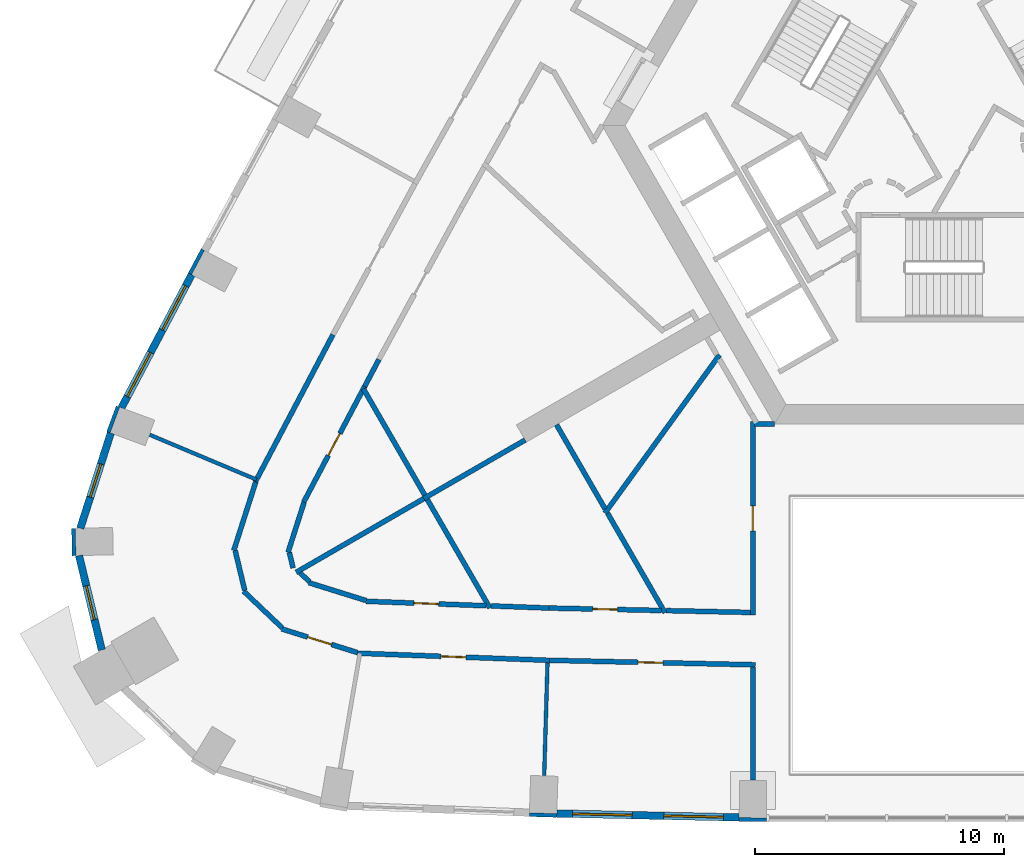
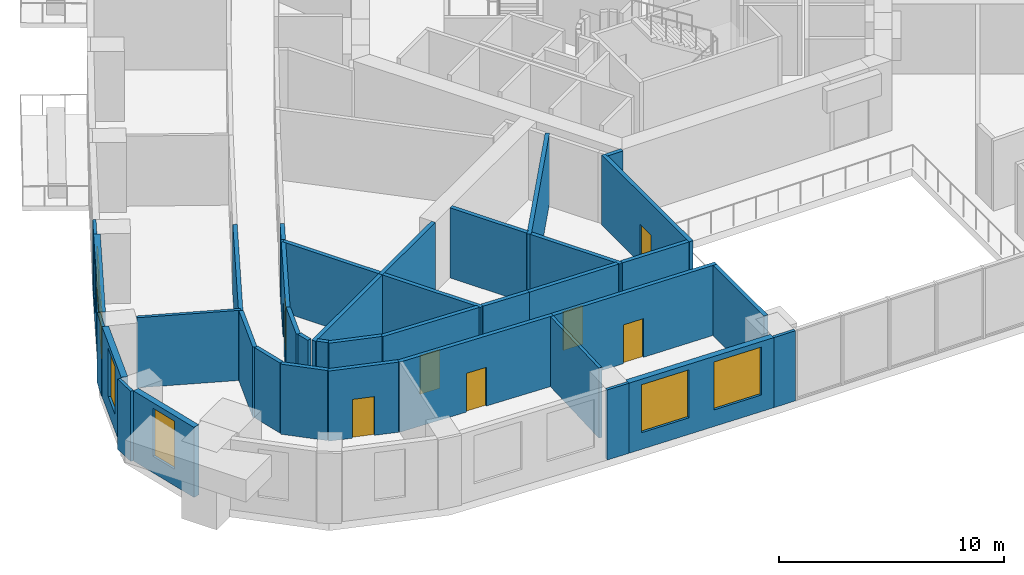
# One storey, part 4 of 15: 38 walls, 7 doors, 6 windows, 13 openings.
"""IFC4 building model written with IfcOpenShell, lengths in metres."""

from ifc_helpers import new_model, si_unit, direction, frame, frame_2d, origin, place, context, subcontext, project, spatial, rectangle, extrude, material, layer, layer_set, type_object, element, fill, save


model = new_model("IFC4")

# Units and contexts
model_context = context("Model", 3, precision=1e-05, world=origin(), true_north=direction((0.0, 1.0)))
body_context = subcontext(model_context, "Body", "Model", "MODEL_VIEW")
ifc_project = project(units=[si_unit("LENGTHUNIT", "METRE"), si_unit("AREAUNIT", "SQUARE_METRE"), si_unit("VOLUMEUNIT", "CUBIC_METRE"), si_unit("PLANEANGLEUNIT", "RADIAN"), si_unit("MASSUNIT", "GRAM", prefix="KILO")], contexts=[model_context])

# Site, building, storey
site_placement = place(None, origin())
site = spatial("IfcSite", under=ifc_project, at=site_placement, CompositionType="ELEMENT")
building_placement = place(site_placement, origin())
building = spatial("IfcBuilding", under=site, at=building_placement, Name="Entoto Arch Interchange Tower", CompositionType="ELEMENT")
storey_placement = place(building_placement, frame((0.0, 0.0, 171.800048828125)))
storey = spatial("IfcBuildingStorey", under=building, at=storey_placement, Name="L38", CompositionType="ELEMENT", Elevation=171.800048828125)

# Walls
ifc_material_1 = material(Name="Gypsum board partition on steel studs", Category="steel")
ifc_layer_1 = layer(ifc_material_1, 0.14990234375)
ifc_layer_set_1 = layer_set([ifc_layer_1], Name="Gypsum board partition on steel studs")
wall_type_1 = type_object("IfcWallType", Name="PARTITION 150", PredefinedType="PARTITIONING", material=ifc_layer_set_1)
wall_1_placement = place(storey_placement, frame((-27.7509765625, -11.72998046875, 0.0), z_axis=(0.0, 0.0, 1.0), x_axis=(-0.92196786851, 0.387266380462, 0.0)))
element("IfcWall", 1, at=wall_1_placement, inside=storey, type_object=wall_type_1, Name="wall:L38:p144", PredefinedType="PARTITIONING", context=body_context, shape_type="SweptSolid", body=[
    extrude(rectangle(XDim=4.653076171875, YDim=0.14990234375, at=frame_2d((2.32666015625, 0.0))), origin(), (0.0, 0.0, 1.0), 3.800048828125),
])
wall_2_placement = place(storey_placement, frame((-16.052001953125, -19.092041015625, 0.0), z_axis=(0.0, 0.0, 1.0), x_axis=(-0.029372127975, -0.999568545973, 0.0)))
element("IfcWall", 2, at=wall_2_placement, inside=storey, type_object=wall_type_1, Name="wall:L38:p146", PredefinedType="PARTITIONING", context=body_context, shape_type="SweptSolid", body=[
    extrude(rectangle(XDim=4.530029296875, YDim=0.14990234375, at=frame_2d((2.26513671875, 0.0))), origin(), (0.0, 0.0, 1.0), 3.800048828125),
])
ifc_layer_2 = layer(ifc_material_1, 0.199951171875)
ifc_layer_set_2 = layer_set([ifc_layer_2], Name="Gypsum board partition on steel studs")
wall_type_2 = type_object("IfcWallType", Name="PARTITION 200", PredefinedType="PARTITIONING", material=ifc_layer_set_2)
wall_3_placement = place(storey_placement, frame((-11.278076171875, -16.99609375, 0.0), z_axis=(0.0, 0.0, 1.0), x_axis=(0.999766613119, -0.021603687022, 0.0)))
element("IfcWall", 3, at=wall_3_placement, inside=storey, type_object=wall_type_2, Name="wall:L38:p031", PredefinedType="PARTITIONING", context=body_context, shape_type="SweptSolid", body=[
    extrude(rectangle(XDim=3.37890625, YDim=0.199951171875, at=frame_2d((1.689453125, 0.0))), origin(), (0.0, 0.0, 1.0), 3.800048828125),
])
wall_4_placement = place(storey_placement, frame((-22.827880859375, -6.89697265625, 0.0), z_axis=(0.0, 0.0, 1.0), x_axis=(-0.467225806893, -0.884138023938, 0.0)))
element("IfcWall", 4, at=wall_4_placement, inside=storey, type_object=wall_type_2, Name="wall:L38:p034", PredefinedType="PARTITIONING", context=body_context, shape_type="SweptSolid", body=[
    extrude(rectangle(XDim=1.2373046875, YDim=0.199951171875, at=frame_2d((0.61865234375, 0.0))), origin(), (0.0, 0.0, 1.0), 3.800048828125),
])
wall_5_placement = place(storey_placement, frame((-18.31591796875, -16.806884765625, 0.0), z_axis=(0.0, 0.0, 1.0), x_axis=(0.999315981353, -0.036980662692, 0.0)))
element("IfcWall", 5, at=wall_5_placement, inside=storey, type_object=wall_type_2, Name="wall:L38:p035", PredefinedType="PARTITIONING", context=body_context, shape_type="SweptSolid", body=[
    extrude(rectangle(XDim=2.33056640625, YDim=0.199951171875, at=frame_2d((1.165283203125, 0.0))), origin(), (0.0, 0.0, 1.0), 3.800048828125),
])

# Wall, opening, door
wall_6_placement = place(storey_placement, frame((-15.987060546875, -16.89306640625, 0.0), z_axis=(0.0, 0.0, 1.0), x_axis=(0.999764376572, -0.021706942174, 0.0)))
wall_6 = element("IfcWall", 6, at=wall_6_placement, inside=storey, type_object=wall_type_2, Name="wall:L38:p036", PredefinedType="PARTITIONING", context=body_context, shape_type="SweptSolid", body=[
    extrude(rectangle(XDim=4.510009765625, YDim=0.199951171875, at=frame_2d((2.2548828125, 0.0))), origin(), (0.0, 0.0, 1.0), 3.800048828125),
])
opening_1_placement = place(wall_6_placement, frame((1.7548828125, 0.0, 0.0)))
opening_1 = element("IfcOpeningElement", 7, at=opening_1_placement, cuts=wall_6, Name="Opening L38-D20", PredefinedType="OPENING", context=body_context, shape_type="SweptSolid", body=[
    extrude(rectangle(XDim=1.0, YDim=2.10009765625, at=frame_2d((0.5, 1.050048828125))), frame((0.0, 0.10986328125, 0.0), z_axis=(0.0, -1.0, 0.0), x_axis=(1.0, 0.0, 0.0)), (0.0, 0.0, 1.0), 0.219970703125),
])
ifc_material_2 = material(Name="Timber door leaf in Steel S235 frame", Category="steel")
door_type = type_object("IfcDoorType", Name="DOOR DS-10 1000x2100", OperationType="SINGLE_SWING_LEFT", PredefinedType="DOOR", material=ifc_material_2)
door_1_placement = place(opening_1_placement, origin())
door_1 = element("IfcDoor", 8, at=door_1_placement, inside=storey, type_object=door_type, Name="door:L38:20", OperationType="SINGLE_SWING_LEFT", OverallHeight=2.10009765625, OverallWidth=1.0, PredefinedType="DOOR", context=body_context, shape_type="SweptSolid", body=[
    extrude(rectangle(XDim=1.0, YDim=2.10009765625, at=frame_2d((0.5, 1.050048828125))), frame((0.0, 0.02490234375, 0.0), z_axis=(0.0, -1.0, 0.0), x_axis=(1.0, 0.0, 0.0)), (0.0, 0.0, 1.0), 0.050048828125),
])
fill(opening_1, door_1)

wall_7_placement = place(storey_placement, frame((-23.406005859375, -7.990966796875, 0.0), z_axis=(0.0, 0.0, 1.0), x_axis=(-0.466307932558, -0.884622468646, 0.0)))
wall_7 = element("IfcWall", 9, at=wall_7_placement, inside=storey, type_object=wall_type_2, Name="wall:L38:p037", PredefinedType="PARTITIONING", context=body_context, shape_type="SweptSolid", body=[
    extrude(rectangle(XDim=5.249755859375, YDim=0.199951171875, at=frame_2d((2.625, 0.0))), origin(), (0.0, 0.0, 1.0), 3.800048828125),
])
opening_2_placement = place(wall_7_placement, frame((2.125, 0.0, 0.0)))
opening_2 = element("IfcOpeningElement", 10, at=opening_2_placement, cuts=wall_7, Name="Opening L38-D21", PredefinedType="OPENING", context=body_context, shape_type="SweptSolid", body=[
    extrude(rectangle(XDim=1.0, YDim=2.10009765625, at=frame_2d((0.5, 1.050048828125))), frame((0.0, 0.10986328125, 0.0), z_axis=(0.0, -1.0, 0.0), x_axis=(1.0, 0.0, 0.0)), (0.0, 0.0, 1.0), 0.219970703125),
])
door_2_placement = place(opening_2_placement, origin())
door_2 = element("IfcDoor", 11, at=door_2_placement, inside=storey, type_object=door_type, Name="door:L38:21", OperationType="SINGLE_SWING_LEFT", OverallHeight=2.10009765625, OverallWidth=1.0, PredefinedType="DOOR", context=body_context, shape_type="SweptSolid", body=[
    extrude(rectangle(XDim=1.0, YDim=2.10009765625, at=frame_2d((0.5, 1.050048828125))), frame((0.0, 0.02490234375, 0.0), z_axis=(0.0, -1.0, 0.0), x_axis=(1.0, 0.0, 0.0)), (0.0, 0.0, 1.0), 0.050048828125),
])
fill(opening_2, door_2)

# Walls
wall_8_placement = place(storey_placement, frame((-25.837890625, -12.64208984375, 0.0), z_axis=(0.0, 0.0, 1.0), x_axis=(-0.305169069368, -0.952298188122, 0.0)))
element("IfcWall", 12, at=wall_8_placement, inside=storey, type_object=wall_type_2, Name="wall:L38:p038", PredefinedType="PARTITIONING", context=body_context, shape_type="SweptSolid", body=[
    extrude(rectangle(XDim=2.116943359375, YDim=0.199951171875, at=frame_2d((1.05859375, 0.0))), origin(), (0.0, 0.0, 1.0), 3.800048828125),
])
wall_9_placement = place(storey_placement, frame((-26.429931640625, -14.659912109375, 0.0), z_axis=(0.0, 0.0, 1.0), x_axis=(0.233574377125, -0.972338938, 0.0)))
element("IfcWall", 13, at=wall_9_placement, inside=storey, type_object=wall_type_2, Name="wall:L38:p039", PredefinedType="PARTITIONING", context=body_context, shape_type="SweptSolid", body=[
    extrude(rectangle(XDim=0.641845703125, YDim=0.199951171875, at=frame_2d((0.32080078125, 0.0))), origin(), (0.0, 0.0, 1.0), 3.800048828125),
])
wall_10_placement = place(storey_placement, frame((-25.998046875, -15.47607421875, 0.0), z_axis=(0.0, 0.0, 1.0), x_axis=(0.724294499657, -0.689490737985, 0.0)))
element("IfcWall", 14, at=wall_10_placement, inside=storey, type_object=wall_type_2, Name="wall:L38:p040", PredefinedType="PARTITIONING", context=body_context, shape_type="SweptSolid", body=[
    extrude(rectangle(XDim=0.51904296875, YDim=0.199951171875, at=frame_2d((0.259521484375, 0.0))), origin(), (0.0, 0.0, 1.0), 3.800048828125),
])
wall_11_placement = place(storey_placement, frame((-25.64501953125, -15.873046875, 0.0), z_axis=(0.0, 0.0, 1.0), x_axis=(0.95454810771, -0.298056890655, 0.0)))
element("IfcWall", 15, at=wall_11_placement, inside=storey, type_object=wall_type_2, Name="wall:L38:p041", PredefinedType="PARTITIONING", context=body_context, shape_type="SweptSolid", body=[
    extrude(rectangle(XDim=2.422119140625, YDim=0.199951171875, at=frame_2d((1.2109375, 0.0))), origin(), (0.0, 0.0, 1.0), 3.800048828125),
])

# Wall, opening, door
wall_12_placement = place(storey_placement, frame((-23.3369140625, -16.62109375, 0.0), z_axis=(0.0, 0.0, 1.0), x_axis=(0.999311710526, -0.037095892019, 0.0)))
wall_12 = element("IfcWall", 16, at=wall_12_placement, inside=storey, type_object=wall_type_2, Name="wall:L38:p042", PredefinedType="PARTITIONING", context=body_context, shape_type="SweptSolid", body=[
    extrude(rectangle(XDim=4.82421875, YDim=0.199951171875, at=frame_2d((2.412109375, 0.0))), origin(), (0.0, 0.0, 1.0), 3.800048828125),
])
opening_3_placement = place(wall_12_placement, frame((1.9130859375, 0.0, 0.0)))
opening_3 = element("IfcOpeningElement", 17, at=opening_3_placement, cuts=wall_12, Name="Opening L38-D22", PredefinedType="OPENING", context=body_context, shape_type="SweptSolid", body=[
    extrude(rectangle(XDim=1.0, YDim=2.10009765625, at=frame_2d((0.5, 1.050048828125))), frame((0.0, 0.10986328125, 0.0), z_axis=(0.0, -1.0, 0.0), x_axis=(1.0, 0.0, 0.0)), (0.0, 0.0, 1.0), 0.219970703125),
])
door_3_placement = place(opening_3_placement, origin())
door_3 = element("IfcDoor", 18, at=door_3_placement, inside=storey, type_object=door_type, Name="door:L38:22", OperationType="SINGLE_SWING_LEFT", OverallHeight=2.10009765625, OverallWidth=1.0, PredefinedType="DOOR", context=body_context, shape_type="SweptSolid", body=[
    extrude(rectangle(XDim=1.0, YDim=2.10009765625, at=frame_2d((0.5, 1.050048828125))), frame((0.0, 0.02490234375, 0.0), z_axis=(0.0, -1.0, 0.0), x_axis=(1.0, 0.0, 0.0)), (0.0, 0.0, 1.0), 0.050048828125),
])
fill(opening_3, door_3)

# Wall
wall_13_placement = place(storey_placement, frame((-27.798095703125, -11.819091796875, 0.0), z_axis=(0.0, 0.0, 1.0), x_axis=(0.466450727507, 0.884547182918, 0.0)))
element("IfcWall", 19, at=wall_13_placement, inside=storey, type_object=wall_type_2, Name="wall:L38:p070", PredefinedType="PARTITIONING", context=body_context, shape_type="SweptSolid", body=[
    extrude(rectangle(XDim=6.684814453125, YDim=0.199951171875, at=frame_2d((3.34228515625, 0.0))), origin(), (0.0, 0.0, 1.0), 3.800048828125),
])

# Wall, opening, door
wall_14_placement = place(storey_placement, frame((-23.69091796875, -18.68310546875, 0.0), z_axis=(0.0, 0.0, 1.0), x_axis=(-0.954546657381, 0.298061535398, 0.0)))
wall_14 = element("IfcWall", 20, at=wall_14_placement, inside=storey, type_object=wall_type_2, Name="wall:L38:p072", PredefinedType="PARTITIONING", context=body_context, shape_type="SweptSolid", body=[
    extrude(rectangle(XDim=3.191162109375, YDim=0.199951171875, at=frame_2d((1.595703125, 0.0))), origin(), (0.0, 0.0, 1.0), 3.800048828125),
])
opening_4_placement = place(wall_14_placement, frame((1.095947265625, 0.0, 0.0)))
opening_4 = element("IfcOpeningElement", 21, at=opening_4_placement, cuts=wall_14, Name="Opening L38-D12", PredefinedType="OPENING", context=body_context, shape_type="SweptSolid", body=[
    extrude(rectangle(XDim=1.0, YDim=2.10009765625, at=frame_2d((0.5, 1.050048828125))), frame((0.0, 0.10986328125, 0.0), z_axis=(0.0, -1.0, 0.0), x_axis=(1.0, 0.0, 0.0)), (0.0, 0.0, 1.0), 0.219970703125),
])
door_4_placement = place(opening_4_placement, origin())
door_4 = element("IfcDoor", 22, at=door_4_placement, inside=storey, type_object=door_type, Name="door:L38:12", OperationType="SINGLE_SWING_LEFT", OverallHeight=2.10009765625, OverallWidth=1.0, PredefinedType="DOOR", context=body_context, shape_type="SweptSolid", body=[
    extrude(rectangle(XDim=1.0, YDim=2.10009765625, at=frame_2d((0.5, 1.050048828125))), frame((0.0, 0.02490234375, 0.0), z_axis=(0.0, -1.0, 0.0), x_axis=(1.0, 0.0, 0.0)), (0.0, 0.0, 1.0), 0.050048828125),
])
fill(opening_4, door_4)

# Walls
wall_15_placement = place(storey_placement, frame((-26.714111328125, -17.693115234375, 0.0), z_axis=(0.0, 0.0, 1.0), x_axis=(-0.724712974479, 0.689050872303, 0.0)))
element("IfcWall", 23, at=wall_15_placement, inside=storey, type_object=wall_type_2, Name="wall:L38:p073", PredefinedType="PARTITIONING", context=body_context, shape_type="SweptSolid", body=[
    extrude(rectangle(XDim=2.149658203125, YDim=0.199951171875, at=frame_2d((1.07470703125, 0.0))), origin(), (0.0, 0.0, 1.0), 3.800048828125),
])
wall_16_placement = place(storey_placement, frame((-28.222900390625, -16.18408203125, 0.0), z_axis=(0.0, 0.0, 1.0), x_axis=(-0.233826017197, 0.972278454807, 0.0)))
element("IfcWall", 24, at=wall_16_placement, inside=storey, type_object=wall_type_2, Name="wall:L38:p074", PredefinedType="PARTITIONING", context=body_context, shape_type="SweptSolid", body=[
    extrude(rectangle(XDim=1.650634765625, YDim=0.199951171875, at=frame_2d((0.8251953125, 0.0))), origin(), (0.0, 0.0, 1.0), 3.800048828125),
])
wall_17_placement = place(storey_placement, frame((-28.6630859375, -14.576904296875, 0.0), z_axis=(0.0, 0.0, 1.0), x_axis=(0.304925942137, 0.952376065329, 0.0)))
element("IfcWall", 25, at=wall_17_placement, inside=storey, type_object=wall_type_2, Name="wall:L38:p075", PredefinedType="PARTITIONING", context=body_context, shape_type="SweptSolid", body=[
    extrude(rectangle(XDim=2.8896484375, YDim=0.199951171875, at=frame_2d((1.44482421875, 0.0))), origin(), (0.0, 0.0, 1.0), 3.800048828125),
])

# Wall, opening, door
wall_18_placement = place(storey_placement, frame((-15.97412109375, -18.9951171875, 0.0), z_axis=(0.0, 0.0, 1.0), x_axis=(-0.999314011084, 0.037033866276, 0.0)))
wall_18 = element("IfcWall", 26, at=wall_18_placement, inside=storey, type_object=wall_type_2, Name="wall:L38:p076", PredefinedType="PARTITIONING", context=body_context, shape_type="SweptSolid", body=[
    extrude(rectangle(XDim=7.726318359375, YDim=0.199951171875, at=frame_2d((3.86328125, 0.0))), origin(), (0.0, 0.0, 1.0), 3.800048828125),
])
opening_5_placement = place(wall_18_placement, frame((3.363037109375, 0.0, 0.0)))
opening_5 = element("IfcOpeningElement", 27, at=opening_5_placement, cuts=wall_18, Name="Opening L38-D13", PredefinedType="OPENING", context=body_context, shape_type="SweptSolid", body=[
    extrude(rectangle(XDim=1.0, YDim=2.10009765625, at=frame_2d((0.5, 1.050048828125))), frame((0.0, 0.10986328125, 0.0), z_axis=(0.0, -1.0, 0.0), x_axis=(1.0, 0.0, 0.0)), (0.0, 0.0, 1.0), 0.219970703125),
])
door_5_placement = place(opening_5_placement, origin())
door_5 = element("IfcDoor", 28, at=door_5_placement, inside=storey, type_object=door_type, Name="door:L38:13", OperationType="SINGLE_SWING_LEFT", OverallHeight=2.10009765625, OverallWidth=1.0, PredefinedType="DOOR", context=body_context, shape_type="SweptSolid", body=[
    extrude(rectangle(XDim=1.0, YDim=2.10009765625, at=frame_2d((0.5, 1.050048828125))), frame((0.0, 0.02490234375, 0.0), z_axis=(0.0, -1.0, 0.0), x_axis=(1.0, 0.0, 0.0)), (0.0, 0.0, 1.0), 0.050048828125),
])
fill(opening_5, door_5)

wall_19_placement = place(storey_placement, frame((-7.699951171875, -19.174072265625, 0.0), z_axis=(0.0, 0.0, 1.0), x_axis=(-0.999762993889, 0.02177053169, 0.0)))
wall_19 = element("IfcWall", 29, at=wall_19_placement, inside=storey, type_object=wall_type_2, Name="wall:L38:p077", PredefinedType="PARTITIONING", context=body_context, shape_type="SweptSolid", body=[
    extrude(rectangle(XDim=8.276123046875, YDim=0.199951171875, at=frame_2d((4.13818359375, 0.0))), origin(), (0.0, 0.0, 1.0), 3.800048828125),
])
opening_6_placement = place(wall_19_placement, frame((3.712890625, 0.0, 0.0)))
opening_6 = element("IfcOpeningElement", 30, at=opening_6_placement, cuts=wall_19, Name="Opening L38-D14", PredefinedType="OPENING", context=body_context, shape_type="SweptSolid", body=[
    extrude(rectangle(XDim=1.0, YDim=2.10009765625, at=frame_2d((0.5, 1.050048828125))), frame((0.0, 0.10986328125, 0.0), z_axis=(0.0, -1.0, 0.0), x_axis=(1.0, 0.0, 0.0)), (0.0, 0.0, 1.0), 0.219970703125),
])
door_6_placement = place(opening_6_placement, origin())
door_6 = element("IfcDoor", 31, at=door_6_placement, inside=storey, type_object=door_type, Name="door:L38:14", OperationType="SINGLE_SWING_RIGHT", OverallHeight=2.10009765625, OverallWidth=1.0, PredefinedType="DOOR", context=body_context, shape_type="SweptSolid", body=[
    extrude(rectangle(XDim=1.0, YDim=2.10009765625, at=frame_2d((0.5, 1.050048828125))), frame((0.0, 0.02490234375, 0.0), z_axis=(0.0, -1.0, 0.0), x_axis=(1.0, 0.0, 0.0)), (0.0, 0.0, 1.0), 0.050048828125),
])
fill(opening_6, door_6)

# Wall
wall_20_placement = place(storey_placement, frame((-7.721923828125, -9.4990234375, 0.0), z_axis=(0.0, 0.0, 1.0), x_axis=(1.0, 0.0, 0.0)))
element("IfcWall", 32, at=wall_20_placement, inside=storey, type_object=wall_type_2, Name="wall:L38:p117", PredefinedType="PARTITIONING", context=body_context, shape_type="SweptSolid", body=[
    extrude(rectangle(XDim=0.79296875, YDim=0.199951171875, at=frame_2d((0.396484375, 0.0))), origin(), (0.0, 0.0, 1.0), 3.800048828125),
])

# Wall, opening, door
wall_21_placement = place(storey_placement, frame((-7.800048828125, -17.1708984375, 0.0), z_axis=(0.0, 0.0, 1.0), x_axis=(0.0, 1.0, 0.0)))
wall_21 = element("IfcWall", 33, at=wall_21_placement, inside=storey, type_object=wall_type_2, Name="wall:L38:p118", PredefinedType="PARTITIONING", context=body_context, shape_type="SweptSolid", body=[
    extrude(rectangle(XDim=7.77197265625, YDim=0.199951171875, at=frame_2d((3.885986328125, 0.0))), origin(), (0.0, 0.0, 1.0), 3.800048828125),
])
opening_7_placement = place(wall_21_placement, frame((3.385986328125, 0.0, 0.0)))
opening_7 = element("IfcOpeningElement", 34, at=opening_7_placement, cuts=wall_21, Name="Opening L38-D18", PredefinedType="OPENING", context=body_context, shape_type="SweptSolid", body=[
    extrude(rectangle(XDim=1.0, YDim=2.10009765625, at=frame_2d((0.5, 1.050048828125))), frame((0.0, 0.10986328125, 0.0), z_axis=(0.0, -1.0, 0.0), x_axis=(1.0, 0.0, 0.0)), (0.0, 0.0, 1.0), 0.219970703125),
])
door_7_placement = place(opening_7_placement, origin())
door_7 = element("IfcDoor", 35, at=door_7_placement, inside=storey, type_object=door_type, Name="door:L38:18", OperationType="SINGLE_SWING_LEFT", OverallHeight=2.10009765625, OverallWidth=1.0, PredefinedType="DOOR", context=body_context, shape_type="SweptSolid", body=[
    extrude(rectangle(XDim=1.0, YDim=2.10009765625, at=frame_2d((0.5, 1.050048828125))), frame((0.0, 0.02490234375, 0.0), z_axis=(0.0, -1.0, 0.0), x_axis=(1.0, 0.0, 0.0)), (0.0, 0.0, 1.0), 0.050048828125),
])
fill(opening_7, door_7)

# Walls
wall_22_placement = place(storey_placement, frame((-7.800048828125, -23.802978515625, 0.0), z_axis=(0.0, 0.0, 1.0), x_axis=(0.0, 1.0, 0.0)))
element("IfcWall", 36, at=wall_22_placement, inside=storey, type_object=wall_type_2, Name="wall:L38:p120", PredefinedType="PARTITIONING", context=body_context, shape_type="SweptSolid", body=[
    extrude(rectangle(XDim=4.531005859375, YDim=0.199951171875, at=frame_2d((2.265625, 0.0))), origin(), (0.0, 0.0, 1.0), 3.800048828125),
])
wall_23_placement = place(storey_placement, frame((-13.743896484375, -13.075927734375, 0.0), z_axis=(0.0, 0.0, 1.0), x_axis=(0.586577314901, 0.809893235953, 0.0)))
element("IfcWall", 37, at=wall_23_placement, inside=storey, type_object=wall_type_2, Name="wall:L38:p127", PredefinedType="PARTITIONING", context=body_context, shape_type="SweptSolid", body=[
    extrude(rectangle(XDim=7.85400390625, YDim=0.199951171875, at=frame_2d((3.927001953125, 0.0))), origin(), (0.0, 0.0, 1.0), 3.800048828125),
])
wall_24_placement = place(storey_placement, frame((-11.327880859375, -17.080078125, 0.0), z_axis=(0.0, 0.0, 1.0), x_axis=(-0.499972710878, 0.866041158593, 0.0)))
element("IfcWall", 38, at=wall_24_placement, inside=storey, type_object=wall_type_2, Name="wall:L38:p128", PredefinedType="PARTITIONING", context=body_context, shape_type="SweptSolid", body=[
    extrude(rectangle(XDim=4.616455078125, YDim=0.199951171875, at=frame_2d((2.30810546875, 0.0))), origin(), (0.0, 0.0, 1.0), 3.800048828125),
])
wall_25_placement = place(storey_placement, frame((-13.736083984375, -12.908935546875, 0.0), z_axis=(0.0, 0.0, 1.0), x_axis=(-0.49990810406, 0.866078453429, 0.0)))
element("IfcWall", 39, at=wall_25_placement, inside=storey, type_object=wall_type_2, Name="wall:L38:p129", PredefinedType="PARTITIONING", context=body_context, shape_type="SweptSolid", body=[
    extrude(rectangle(XDim=3.908447265625, YDim=0.199951171875, at=frame_2d((1.9541015625, 0.0))), origin(), (0.0, 0.0, 1.0), 3.800048828125),
])
wall_26_placement = place(storey_placement, frame((-16.951904296875, -10.137939453125, 0.0), z_axis=(0.0, 0.0, 1.0), x_axis=(-0.866054992606, -0.499948747156, 0.0)))
element("IfcWall", 40, at=wall_26_placement, inside=storey, type_object=wall_type_2, Name="wall:L38:p130", PredefinedType="PARTITIONING", context=body_context, shape_type="SweptSolid", body=[
    extrude(rectangle(XDim=4.70068359375, YDim=0.199951171875, at=frame_2d((2.350341796875, 0.0))), origin(), (0.0, 0.0, 1.0), 3.800048828125),
])
wall_27_placement = place(storey_placement, frame((-20.986083984375, -12.35107421875, 0.0), z_axis=(0.0, 0.0, 1.0), x_axis=(-0.499993851206, 0.866028953763, 0.0)))
element("IfcWall", 41, at=wall_27_placement, inside=storey, type_object=wall_type_2, Name="wall:L38:p131", PredefinedType="PARTITIONING", context=body_context, shape_type="SweptSolid", body=[
    extrude(rectangle(XDim=4.931640625, YDim=0.199951171875, at=frame_2d((2.4658203125, 0.0))), origin(), (0.0, 0.0, 1.0), 3.800048828125),
])
wall_28_placement = place(storey_placement, frame((-18.365966796875, -16.889892578125, 0.0), z_axis=(0.0, 0.0, 1.0), x_axis=(-0.499965828395, 0.866045131871, 0.0)))
element("IfcWall", 42, at=wall_28_placement, inside=storey, type_object=wall_type_2, Name="wall:L38:p132", PredefinedType="PARTITIONING", context=body_context, shape_type="SweptSolid", body=[
    extrude(rectangle(XDim=5.036376953125, YDim=0.199951171875, at=frame_2d((2.51806640625, 0.0))), origin(), (0.0, 0.0, 1.0), 3.800048828125),
])
wall_29_placement = place(storey_placement, frame((-21.02099609375, -12.490966796875, 0.0), z_axis=(0.0, 0.0, 1.0), x_axis=(-0.865966890845, -0.500101333692, 0.0)))
element("IfcWall", 43, at=wall_29_placement, inside=storey, type_object=wall_type_2, Name="wall:L38:p133", PredefinedType="PARTITIONING", context=body_context, shape_type="SweptSolid", body=[
    extrude(rectangle(XDim=5.930908203125, YDim=0.199951171875, at=frame_2d((2.96533203125, 0.0))), origin(), (0.0, 0.0, 1.0), 3.800048828125),
])

# Wall, openings, windows
ifc_material_3 = material(Name="Welded tuff (ignimbrite) cladding, warm buff", Category="masonry")
ifc_layer_3 = layer(ifc_material_3, 0.300048828125)
ifc_layer_set_3 = layer_set([ifc_layer_3], Name="Welded tuff (ignimbrite) cladding, warm buff")
wall_type_3 = type_object("IfcWallType", Name="STONE INFILL WALL 300", PredefinedType="STANDARD", material=ifc_layer_set_3)
wall_30_placement = place(storey_placement, frame((-15.679931640625, -25.152099609375, 0.0), z_axis=(0.0, 0.0, 1.0), x_axis=(0.999765201774, -0.021668902196, 0.0)))
wall_30 = element("IfcWall", 44, at=wall_30_placement, inside=storey, type_object=wall_type_3, Name="Facade wall S-02 L38", PredefinedType="STANDARD", context=body_context, shape_type="SweptSolid", body=[
    extrude(rectangle(XDim=7.334716796875, YDim=0.300048828125, at=frame_2d((3.66748046875, 0.0))), origin(), (0.0, 0.0, 1.0), 3.800048828125),
])
opening_8_placement = place(wall_30_placement, frame((0.634033203125, 0.0, 0.89990234375)))
opening_8 = element("IfcOpeningElement", 45, at=opening_8_placement, cuts=wall_30, Name="Opening WO-A", PredefinedType="OPENING", context=body_context, shape_type="SweptSolid", body=[
    extrude(rectangle(XDim=2.39990234375, YDim=2.60009765625, at=frame_2d((1.199951171875, 1.300048828125))), frame((0.0, 0.16015625, 0.0), z_axis=(0.0, -1.0, 0.0), x_axis=(1.0, 0.0, 0.0)), (0.0, 0.0, 1.0), 0.320068359375),
])
opening_9_placement = place(wall_30_placement, frame((4.301025390625, 0.0, 0.89990234375)))
opening_9 = element("IfcOpeningElement", 46, at=opening_9_placement, cuts=wall_30, Name="Opening WO-A", PredefinedType="OPENING", context=body_context, shape_type="SweptSolid", body=[
    extrude(rectangle(XDim=2.39990234375, YDim=2.60009765625, at=frame_2d((1.199951171875, 1.300048828125))), frame((0.0, 0.16015625, 0.0), z_axis=(0.0, -1.0, 0.0), x_axis=(1.0, 0.0, 0.0)), (0.0, 0.0, 1.0), 0.320068359375),
])
ifc_material_4 = material(Name="Clear glass, low-e double glazed", Category="glass")
window_type_1 = type_object("IfcWindowType", Name="WINDOW WO-A 2400x2600", PartitioningType="DOUBLE_PANEL_VERTICAL", PredefinedType="WINDOW", material=ifc_material_4)
window_1_placement = place(opening_8_placement, origin())
window_1 = element("IfcWindow", 47, at=window_1_placement, inside=storey, type_object=window_type_1, Name="Window WO-A S-02 L38", OverallHeight=2.60009765625, OverallWidth=2.39990234375, PartitioningType="SINGLE_PANEL", PredefinedType="WINDOW", context=body_context, shape_type="SweptSolid", body=[
    extrude(rectangle(XDim=2.39990234375, YDim=2.60009765625, at=frame_2d((1.199951171875, 1.300048828125))), frame((0.0, 0.030029296875, 0.0), z_axis=(0.0, -1.0, 0.0), x_axis=(1.0, 0.0, 0.0)), (0.0, 0.0, 1.0), 0.06005859375),
])
fill(opening_8, window_1)
window_2_placement = place(opening_9_placement, origin())
window_2 = element("IfcWindow", 48, at=window_2_placement, inside=storey, type_object=window_type_1, Name="Window WO-A S-02 L38", OverallHeight=2.60009765625, OverallWidth=2.39990234375, PartitioningType="SINGLE_PANEL", PredefinedType="WINDOW", context=body_context, shape_type="SweptSolid", body=[
    extrude(rectangle(XDim=2.39990234375, YDim=2.60009765625, at=frame_2d((1.199951171875, 1.300048828125))), frame((0.0, 0.030029296875, 0.0), z_axis=(0.0, -1.0, 0.0), x_axis=(1.0, 0.0, 0.0)), (0.0, 0.0, 1.0), 0.06005859375),
])
fill(opening_9, window_2)

wall_31_placement = place(storey_placement, frame((-30.35791015625, -3.488037109375, 0.0), z_axis=(0.0, 0.0, 1.0), x_axis=(-0.466399410196, -0.884574242316, 0.0)))
wall_31 = element("IfcWall", 49, at=wall_31_placement, inside=storey, type_object=wall_type_3, Name="Facade wall NW-07 L38", PredefinedType="STANDARD", context=body_context, shape_type="SweptSolid", body=[
    extrude(rectangle(XDim=6.054931640625, YDim=0.300048828125, at=frame_2d((3.02734375, 0.0))), origin(), (0.0, 0.0, 1.0), 3.800048828125),
])
opening_10_placement = place(wall_31_placement, frame((0.513916015625, 0.0, 0.89990234375)))
opening_10 = element("IfcOpeningElement", 50, at=opening_10_placement, cuts=wall_31, Name="Opening WO-C", PredefinedType="OPENING", context=body_context, shape_type="SweptSolid", body=[
    extrude(rectangle(XDim=2.0, YDim=2.60009765625, at=frame_2d((1.0, 1.300048828125))), frame((0.0, 0.16015625, 0.0), z_axis=(0.0, -1.0, 0.0), x_axis=(1.0, 0.0, 0.0)), (0.0, 0.0, 1.0), 0.320068359375),
])
opening_11_placement = place(wall_31_placement, frame((3.541015625, 0.0, 0.89990234375)))
opening_11 = element("IfcOpeningElement", 51, at=opening_11_placement, cuts=wall_31, Name="Opening WO-C", PredefinedType="OPENING", context=body_context, shape_type="SweptSolid", body=[
    extrude(rectangle(XDim=2.0, YDim=2.60009765625, at=frame_2d((1.0, 1.300048828125))), frame((0.0, 0.16015625, 0.0), z_axis=(0.0, -1.0, 0.0), x_axis=(1.0, 0.0, 0.0)), (0.0, 0.0, 1.0), 0.320068359375),
])
window_type_2 = type_object("IfcWindowType", Name="WINDOW WO-C 2000x2600", PartitioningType="DOUBLE_PANEL_VERTICAL", PredefinedType="WINDOW", material=ifc_material_4)
window_3_placement = place(opening_10_placement, origin())
window_3 = element("IfcWindow", 52, at=window_3_placement, inside=storey, type_object=window_type_2, Name="Window WO-C NW-07 L38", OverallHeight=2.60009765625, OverallWidth=2.0, PartitioningType="SINGLE_PANEL", PredefinedType="WINDOW", context=body_context, shape_type="SweptSolid", body=[
    extrude(rectangle(XDim=2.0, YDim=2.60009765625, at=frame_2d((1.0, 1.300048828125))), frame((0.0, 0.030029296875, 0.0), z_axis=(0.0, -1.0, 0.0), x_axis=(1.0, 0.0, 0.0)), (0.0, 0.0, 1.0), 0.06005859375),
])
fill(opening_10, window_3)
window_4_placement = place(opening_11_placement, origin())
window_4 = element("IfcWindow", 53, at=window_4_placement, inside=storey, type_object=window_type_2, Name="Window WO-C NW-07 L38", OverallHeight=2.60009765625, OverallWidth=2.0, PartitioningType="SINGLE_PANEL", PredefinedType="WINDOW", context=body_context, shape_type="SweptSolid", body=[
    extrude(rectangle(XDim=2.0, YDim=2.60009765625, at=frame_2d((1.0, 1.300048828125))), frame((0.0, 0.030029296875, 0.0), z_axis=(0.0, -1.0, 0.0), x_axis=(1.0, 0.0, 0.0)), (0.0, 0.0, 1.0), 0.06005859375),
])
fill(opening_11, window_4)

# Wall, opening, window
wall_32_placement = place(storey_placement, frame((-33.60888671875, -9.85595703125, 0.0), z_axis=(0.0, 0.0, 1.0), x_axis=(-0.305018133869, -0.952346543025, 0.0)))
wall_32 = element("IfcWall", 54, at=wall_32_placement, inside=storey, type_object=wall_type_3, Name="Facade wall SW-01 L38", PredefinedType="STANDARD", context=body_context, shape_type="SweptSolid", body=[
    extrude(rectangle(XDim=4.019775390625, YDim=0.300048828125, at=frame_2d((2.009765625, 0.0))), origin(), (0.0, 0.0, 1.0), 3.800048828125),
])
opening_12_placement = place(wall_32_placement, frame((1.31005859375, 0.0, 0.89990234375)))
opening_12 = element("IfcOpeningElement", 55, at=opening_12_placement, cuts=wall_32, Name="Opening WO-B", PredefinedType="OPENING", context=body_context, shape_type="SweptSolid", body=[
    extrude(rectangle(XDim=1.39990234375, YDim=2.60009765625, at=frame_2d((0.699951171875, 1.300048828125))), frame((0.0, 0.16015625, 0.0), z_axis=(0.0, -1.0, 0.0), x_axis=(1.0, 0.0, 0.0)), (0.0, 0.0, 1.0), 0.320068359375),
])
window_type_3 = type_object("IfcWindowType", Name="WINDOW WO-B 1400x2600", PartitioningType="DOUBLE_PANEL_VERTICAL", PredefinedType="WINDOW", material=ifc_material_4)
window_5_placement = place(opening_12_placement, origin())
window_5 = element("IfcWindow", 56, at=window_5_placement, inside=storey, type_object=window_type_3, Name="Window WO-B SW-01 L38", OverallHeight=2.60009765625, OverallWidth=1.39990234375, PartitioningType="SINGLE_PANEL", PredefinedType="WINDOW", context=body_context, shape_type="SweptSolid", body=[
    extrude(rectangle(XDim=1.39990234375, YDim=2.60009765625, at=frame_2d((0.699951171875, 1.300048828125))), frame((0.0, 0.030029296875, 0.0), z_axis=(0.0, -1.0, 0.0), x_axis=(1.0, 0.0, 0.0)), (0.0, 0.0, 1.0), 0.06005859375),
])
fill(opening_12, window_5)

wall_33_placement = place(storey_placement, frame((-34.885986328125, -14.782958984375, 0.0), z_axis=(0.0, 0.0, 1.0), x_axis=(0.234102046927, -0.972212030179, 0.0)))
wall_33 = element("IfcWall", 57, at=wall_33_placement, inside=storey, type_object=wall_type_3, Name="Facade wall SW-02 L38", PredefinedType="STANDARD", context=body_context, shape_type="SweptSolid", body=[
    extrude(rectangle(XDim=3.900390625, YDim=0.300048828125, at=frame_2d((1.9501953125, 0.0))), origin(), (0.0, 0.0, 1.0), 3.800048828125),
])
opening_13_placement = place(wall_33_placement, frame((1.25, 0.0, 0.89990234375)))
opening_13 = element("IfcOpeningElement", 58, at=opening_13_placement, cuts=wall_33, Name="Opening WO-B", PredefinedType="OPENING", context=body_context, shape_type="SweptSolid", body=[
    extrude(rectangle(XDim=1.39990234375, YDim=2.60009765625, at=frame_2d((0.699951171875, 1.300048828125))), frame((0.0, 0.16015625, 0.0), z_axis=(0.0, -1.0, 0.0), x_axis=(1.0, 0.0, 0.0)), (0.0, 0.0, 1.0), 0.320068359375),
])
window_6_placement = place(opening_13_placement, origin())
window_6 = element("IfcWindow", 59, at=window_6_placement, inside=storey, type_object=window_type_3, Name="Window WO-B SW-02 L38", OverallHeight=2.60009765625, OverallWidth=1.39990234375, PartitioningType="SINGLE_PANEL", PredefinedType="WINDOW", context=body_context, shape_type="SweptSolid", body=[
    extrude(rectangle(XDim=1.39990234375, YDim=2.60009765625, at=frame_2d((0.699951171875, 1.300048828125))), frame((0.0, 0.030029296875, 0.0), z_axis=(0.0, -1.0, 0.0), x_axis=(1.0, 0.0, 0.0)), (0.0, 0.0, 1.0), 0.06005859375),
])
fill(opening_13, window_6)

# Walls
ifc_layer_4 = layer(ifc_material_3, 0.14990234375)
ifc_layer_set_4 = layer_set([ifc_layer_4], Name="Welded tuff (ignimbrite) cladding, warm buff")
wall_type_4 = type_object("IfcWallType", Name="STONE PIER CLADDING 150", PredefinedType="STANDARD", material=ifc_layer_set_4)
for number, where, z_axis, x_axis, name in (
    (60, (-29.908935546875, -2.48193359375, 0.0), (0.0, 0.0, 1.0), (-0.470058271093, -0.88263538439, 0.0), "Stone pier NW07 L38"),
    (61, (-33.321044921875, -8.791015625, 0.0), (0.0, 0.0, 1.0), (-0.346229846278, -0.938149718087, 0.0), "Stone pier NW08 L38"),
):
    element("IfcWall", number, at=place(storey_placement, frame(where, z_axis=z_axis, x_axis=x_axis)), inside=storey, type_object=wall_type_4, Name=name, PredefinedType="STANDARD", context=body_context, shape_type="SweptSolid", body=[
        extrude(rectangle(XDim=1.10009765625, YDim=0.14990234375, at=frame_2d((0.550048828125, 0.0))), origin(), (0.0, 0.0, 1.0), 3.800048828125),
    ])
wall_34_placement = place(storey_placement, frame((-16.781005859375, -25.197998046875, 0.0), z_axis=(0.0, 0.0, 1.0), x_axis=(0.999523702549, -0.030860460829, 0.0)))
element("IfcWall", 62, at=wall_34_placement, inside=storey, type_object=wall_type_4, Name="Stone pier S02 L38", PredefinedType="STANDARD", context=body_context, shape_type="SweptSolid", body=[
    extrude(rectangle(XDim=1.099609375, YDim=0.14990234375, at=frame_2d((0.5498046875, 0.0))), origin(), (0.0, 0.0, 1.0), 3.800048828125),
])
wall_35_placement = place(storey_placement, frame((-8.34912109375, -25.39208984375, 0.0), z_axis=(0.0, 0.0, 1.0), x_axis=(0.999940879068, -0.010873746799, 0.0)))
element("IfcWall", 63, at=wall_35_placement, inside=storey, type_object=wall_type_4, Name="Stone pier S03 L38", PredefinedType="STANDARD", context=body_context, shape_type="SweptSolid", body=[
    extrude(rectangle(XDim=1.10009765625, YDim=0.14990234375, at=frame_2d((0.550048828125, 0.0))), origin(), (0.0, 0.0, 1.0), 3.800048828125),
])
wall_36_placement = place(storey_placement, frame((-35.10888671875, -13.68896484375, 0.0), z_axis=(0.0, 0.0, 1.0), x_axis=(0.023517683673, -0.999723421029, 0.0)))
element("IfcWall", 64, at=wall_36_placement, inside=storey, type_object=wall_type_4, Name="Stone pier SW1 L38", PredefinedType="STANDARD", context=body_context, shape_type="SweptSolid", body=[
    extrude(rectangle(XDim=1.100341796875, YDim=0.14990234375, at=frame_2d((0.55029296875, 0.0))), origin(), (0.0, 0.0, 1.0), 3.800048828125),
])

save(model, "model.ifc")
